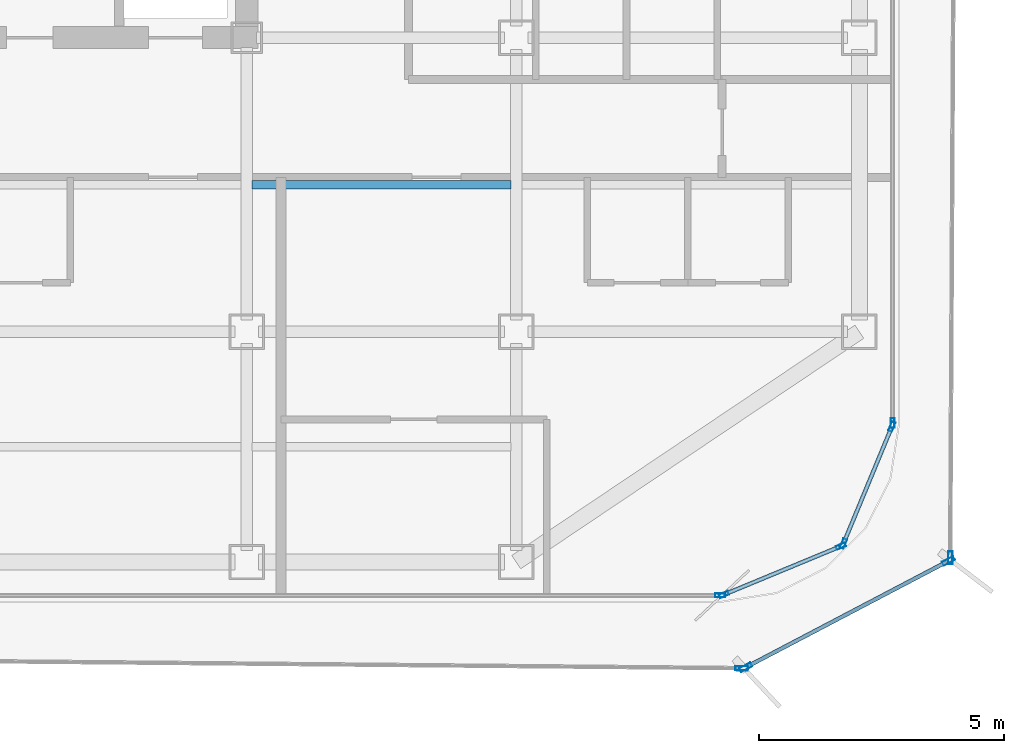
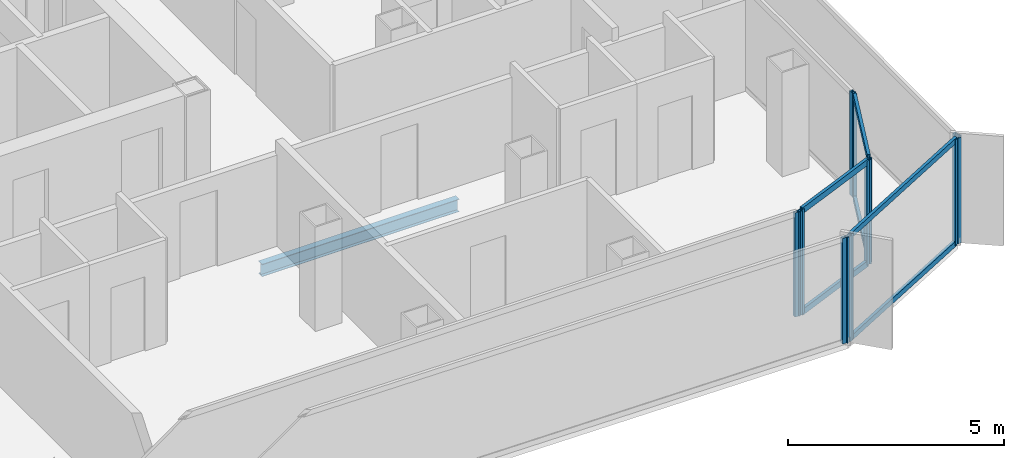
# One storey, part 4 of 16: 16 members, 1 beam, 7 elements without a shape of their own.
"""IFC4 building model written with IfcOpenShell, lengths in metres."""

from ifc_helpers import new_model, si_unit, direction, frame, origin, origin_2d, place, context, subcontext, project, spatial, hollow_rectangle, i_section, extrude, source, transform, mapped, material, layer, layer_set, material_profile, profile_set, type_object, element, aggregate, save


model = new_model("IFC4")

# Units and contexts
model_context = context("Model", 3, precision=1e-05, world=origin(), true_north=direction((0.0, 1.0)))
body_context = subcontext(model_context, "Body", "Model", "MODEL_VIEW")
ifc_project = project(units=[si_unit("LENGTHUNIT", "METRE"), si_unit("AREAUNIT", "SQUARE_METRE"), si_unit("VOLUMEUNIT", "CUBIC_METRE"), si_unit("PLANEANGLEUNIT", "RADIAN"), si_unit("MASSUNIT", "GRAM", prefix="KILO")], contexts=[model_context])

# Site, building, storey
site_placement = place(None, origin())
site = spatial("IfcSite", under=ifc_project, at=site_placement, CompositionType="ELEMENT")
building_placement = place(site_placement, origin())
building = spatial("IfcBuilding", under=site, at=building_placement, Name="Kolveth Station Tower", CompositionType="ELEMENT")
storey_placement = place(building_placement, frame((0.0, 0.0, 162.5)))
storey = spatial("IfcBuildingStorey", under=building, at=storey_placement, Name="L45", CompositionType="ELEMENT", Elevation=162.5)

# Beam
ifc_material_1 = material(Name="Steel S355", Category="steel")
ifc_material_profile_1 = material_profile(ifc_material_1, i_section(OverallWidth=0.1708984375, OverallDepth=0.35205078125, WebThickness=0.0068359375, FlangeThickness=0.009765625, at=origin_2d()), Name="W360x44")
ifc_profile_set_1 = profile_set([ifc_material_profile_1], Name="Steel S355")
beam_type = type_object("IfcBeamType", Name="Beam_J2", PredefinedType="JOIST", material=ifc_profile_set_1)
shared_shape_1 = source(origin(), body_context, "Body", "SweptSolid", [
    extrude(i_section(OverallWidth=0.1708984375, OverallDepth=0.35205078125, WebThickness=0.0068359375, FlangeThickness=0.009765625, at=origin_2d()), origin(), (0.0, 0.0, 1.0), 5.27490234375),
])
beam_placement = place(storey_placement, frame((28.612548828125, 8.5, -0.426025390625), z_axis=(1.0, 0.0, 0.0), x_axis=(0.0, 1.0, 0.0)))
element("IfcBeam", 1, at=beam_placement, inside=storey, type_object=beam_type, Name="L45 Secondary Joist JST-L45-5-2", PredefinedType="JOIST", context=body_context, shape_type="MappedRepresentation", body=[
    mapped(shared_shape_1, transform((0.0, 0.0, 0.0), x_axis=(1.0, 0.0, 0.0), y_axis=(0.0, 1.0, 0.0), z_axis=(0.0, 0.0, 1.0), scale=1.0)),
])

# Curtain wall, members
ifc_material_2 = material(Name="Aluminium 6063-T6 and low-E dark glass", Category="aluminium")
ifc_layer_1 = layer(ifc_material_2, 0.18994140625)
ifc_layer_set_1 = layer_set([ifc_layer_1], Name="Aluminium 6063-T6 and low-E dark glass")
curtain_wall_type_1 = type_object("IfcCurtainWallType", Name="CurtainWall_CW-Z2", PredefinedType="NOTDEFINED", material=ifc_layer_set_1)
curtain_wall_1_placement = place(storey_placement, origin())
curtain_wall_1 = element("IfcCurtainWall", 2, at=curtain_wall_1_placement, inside=storey, type_object=curtain_wall_type_1, Name="L45 Inner Thermal Curtain Wall 1", PredefinedType="NOTDEFINED")
ifc_material_3 = material(Name="Black anodized aluminium 6063-T6", Category="aluminium")
ifc_material_profile_2 = material_profile(ifc_material_3, hollow_rectangle(XDim=0.080078125, YDim=0.199951171875, WallThickness=0.0048828125, at=origin_2d()), Name="ALU-80x200x5")
ifc_profile_set_2 = profile_set([ifc_material_profile_2], Name="Black anodized aluminium 6063-T6")
member_type_1 = type_object("IfcMemberType", Name="Mullion_ML2", PredefinedType="MULLION", material=ifc_profile_set_2)
shared_shape_2 = source(origin(), body_context, "Body", "SweptSolid", [
    extrude(hollow_rectangle(XDim=0.080078125, YDim=0.199951171875, WallThickness=0.0048828125, at=origin_2d()), origin(), (0.0, 0.0, 1.0), 2.949951171875),
])
member_1_placement = place(storey_placement, frame((38.237060546875, 0.13525390625, 0.0), z_axis=(0.0, 0.0, 1.0), x_axis=(-0.382697753087, 0.923873600544, 0.0)))
member_1 = element("IfcMember", 3, at=member_1_placement, type_object=member_type_1, Name="CW-Z2 mullion 1", PredefinedType="MULLION", context=body_context, shape_type="MappedRepresentation", body=[
    mapped(shared_shape_2, transform((0.0, 0.0, 0.0), x_axis=(1.0, 0.0, 0.0), y_axis=(0.0, 1.0, 0.0), z_axis=(0.0, 0.0, 1.0), scale=1.0)),
])
member_2_placement = place(storey_placement, frame((40.623779296875, 1.1240234375, 0.0), z_axis=(0.0, 0.0, 1.0), x_axis=(-0.382697753087, 0.923873600544, 0.0)))
member_2 = element("IfcMember", 4, at=member_2_placement, type_object=member_type_1, Name="CW-Z2 mullion 2", PredefinedType="MULLION", context=body_context, shape_type="MappedRepresentation", body=[
    mapped(shared_shape_2, transform((0.0, 0.0, 0.0), x_axis=(1.0, 0.0, 0.0), y_axis=(0.0, 1.0, 0.0), z_axis=(0.0, 0.0, 1.0), scale=1.0)),
])

curtain_wall_2_placement = place(storey_placement, origin())
curtain_wall_2 = element("IfcCurtainWall", 5, at=curtain_wall_2_placement, inside=storey, type_object=curtain_wall_type_1, Name="L45 Inner Thermal Curtain Wall 2", PredefinedType="NOTDEFINED")
member_3_placement = place(storey_placement, frame((40.676025390625, 1.17626953125, 0.0), z_axis=(0.0, 0.0, 1.0), x_axis=(-0.923873600544, 0.382697753087, 0.0)))
member_3 = element("IfcMember", 6, at=member_3_placement, type_object=member_type_1, Name="CW-Z2 mullion 1", PredefinedType="MULLION", context=body_context, shape_type="MappedRepresentation", body=[
    mapped(shared_shape_2, transform((0.0, 0.0, 0.0), x_axis=(1.0, 0.0, 0.0), y_axis=(0.0, 1.0, 0.0), z_axis=(0.0, 0.0, 1.0), scale=1.0)),
])
member_4_placement = place(storey_placement, frame((41.664794921875, 3.56298828125, 0.0), z_axis=(0.0, 0.0, 1.0), x_axis=(-0.923873600544, 0.382697753087, 0.0)))
member_4 = element("IfcMember", 7, at=member_4_placement, type_object=member_type_1, Name="CW-Z2 mullion 2", PredefinedType="MULLION", context=body_context, shape_type="MappedRepresentation", body=[
    mapped(shared_shape_2, transform((0.0, 0.0, 0.0), x_axis=(1.0, 0.0, 0.0), y_axis=(0.0, 1.0, 0.0), z_axis=(0.0, 0.0, 1.0), scale=1.0)),
])

# Curtain wall, member
curtain_wall_3_placement = place(storey_placement, origin())
curtain_wall_3 = element("IfcCurtainWall", 8, at=curtain_wall_3_placement, inside=storey, type_object=curtain_wall_type_1, Name="L45 Inner Thermal Curtain Wall 3", PredefinedType="NOTDEFINED")
member_5_placement = place(storey_placement, frame((41.679931640625, 3.639892578125, 0.0), z_axis=(0.0, 0.0, 1.0), x_axis=(-1.0, 0.0, 0.0)))
member_5 = element("IfcMember", 9, at=member_5_placement, type_object=member_type_1, Name="CW-Z2 mullion 1", PredefinedType="MULLION", context=body_context, shape_type="MappedRepresentation", body=[
    mapped(shared_shape_2, transform((0.0, 0.0, 0.0), x_axis=(1.0, 0.0, 0.0), y_axis=(0.0, 1.0, 0.0), z_axis=(0.0, 0.0, 1.0), scale=1.0)),
])
aggregate(curtain_wall_3, [member_5])

curtain_wall_4_placement = place(storey_placement, origin())
curtain_wall_4 = element("IfcCurtainWall", 10, at=curtain_wall_4_placement, inside=storey, type_object=curtain_wall_type_1, Name="L45 Inner Thermal Curtain Wall 12", PredefinedType="NOTDEFINED")
member_6_placement = place(storey_placement, frame((38.159912109375, 0.1201171875, 0.0), z_axis=(0.0, 0.0, 1.0), x_axis=(0.0, 1.0, 0.0)))
member_6 = element("IfcMember", 11, at=member_6_placement, type_object=member_type_1, Name="CW-Z2 mullion 2", PredefinedType="MULLION", context=body_context, shape_type="MappedRepresentation", body=[
    mapped(shared_shape_2, transform((0.0, 0.0, 0.0), x_axis=(1.0, 0.0, 0.0), y_axis=(0.0, 1.0, 0.0), z_axis=(0.0, 0.0, 1.0), scale=1.0)),
])
aggregate(curtain_wall_4, [member_6])

# Curtain wall, members
ifc_material_4 = material(Name="Black anodized aluminium 6063-T6 and dark solar glass", Category="aluminium")
ifc_layer_2 = layer(ifc_material_4, 0.159912109375)
ifc_layer_set_2 = layer_set([ifc_layer_2], Name="Black anodized aluminium 6063-T6 and dark solar glass")
curtain_wall_type_2 = type_object("IfcCurtainWallType", Name="OUTER SKIN CW-OS", PredefinedType="NOTDEFINED", material=ifc_layer_set_2)
curtain_wall_5_placement = place(storey_placement, origin())
curtain_wall_5 = element("IfcCurtainWall", 12, at=curtain_wall_5_placement, inside=storey, type_object=curtain_wall_type_2, Name="L45 Outer Ventilated Skin Curtain Wall 1", PredefinedType="NOTDEFINED")
ifc_material_profile_3 = material_profile(ifc_material_3, hollow_rectangle(XDim=0.090087890625, YDim=0.260009765625, WallThickness=0.0048828125, at=origin_2d()), Name="ALU-90x260x5")
ifc_profile_set_3 = profile_set([ifc_material_profile_3], Name="Black anodized aluminium 6063-T6")
member_type_2 = type_object("IfcMemberType", Name="FIN MULLION ML-OS", PredefinedType="MULLION", material=ifc_profile_set_3)
shared_shape_3 = source(origin(), body_context, "Body", "SweptSolid", [
    extrude(hollow_rectangle(XDim=0.090087890625, YDim=0.260009765625, WallThickness=0.0048828125, at=origin_2d()), origin(), (0.0, 0.0, 1.0), 2.989990234375),
])
member_7_placement = place(storey_placement, frame((38.683837890625, -1.347900390625, 0.0), z_axis=(0.0, 0.0, 1.0), x_axis=(-0.464724371526, 0.885455396115, 0.0)))
member_7 = element("IfcMember", 13, at=member_7_placement, type_object=member_type_2, Name="CW-OS mullion 1", PredefinedType="MULLION", context=body_context, shape_type="MappedRepresentation", body=[
    mapped(shared_shape_3, transform((0.0, 0.0, 0.0), x_axis=(1.0, 0.0, 0.0), y_axis=(0.0, 1.0, 0.0), z_axis=(0.0, 0.0, 1.0), scale=1.0)),
])
member_8_placement = place(storey_placement, frame((42.818603515625, 0.822265625, 0.0), z_axis=(0.0, 0.0, 1.0), x_axis=(-0.464724371526, 0.885455396115, 0.0)))
member_8 = element("IfcMember", 14, at=member_8_placement, type_object=member_type_2, Name="CW-OS mullion 2", PredefinedType="MULLION", context=body_context, shape_type="MappedRepresentation", body=[
    mapped(shared_shape_3, transform((0.0, 0.0, 0.0), x_axis=(1.0, 0.0, 0.0), y_axis=(0.0, 1.0, 0.0), z_axis=(0.0, 0.0, 1.0), scale=1.0)),
])

# Curtain wall, member
curtain_wall_6_placement = place(storey_placement, origin())
curtain_wall_6 = element("IfcCurtainWall", 15, at=curtain_wall_6_placement, inside=storey, type_object=curtain_wall_type_2, Name="L45 Outer Ventilated Skin Curtain Wall 2", PredefinedType="NOTDEFINED")
member_9_placement = place(storey_placement, frame((42.858642578125, 0.88818359375, 0.0), z_axis=(0.0, 0.0, 1.0), x_axis=(-0.999985481956, 0.005388494921, 0.0)))
member_9 = element("IfcMember", 16, at=member_9_placement, type_object=member_type_2, Name="CW-OS mullion 1", PredefinedType="MULLION", context=body_context, shape_type="MappedRepresentation", body=[
    mapped(shared_shape_3, transform((0.0, 0.0, 0.0), x_axis=(1.0, 0.0, 0.0), y_axis=(0.0, 1.0, 0.0), z_axis=(0.0, 0.0, 1.0), scale=1.0)),
])
aggregate(curtain_wall_6, [member_9])

curtain_wall_7_placement = place(storey_placement, origin())
curtain_wall_7 = element("IfcCurtainWall", 17, at=curtain_wall_7_placement, inside=storey, type_object=curtain_wall_type_2, Name="L45 Outer Ventilated Skin Curtain Wall 8", PredefinedType="NOTDEFINED")
member_10_placement = place(storey_placement, frame((38.598876953125, -1.368408203125, 0.0), z_axis=(0.0, 0.0, 1.0), x_axis=(0.009153019255, 0.999958110242, 0.0)))
member_10 = element("IfcMember", 18, at=member_10_placement, type_object=member_type_2, Name="CW-OS mullion 2", PredefinedType="MULLION", context=body_context, shape_type="MappedRepresentation", body=[
    mapped(shared_shape_3, transform((0.0, 0.0, 0.0), x_axis=(1.0, 0.0, 0.0), y_axis=(0.0, 1.0, 0.0), z_axis=(0.0, 0.0, 1.0), scale=1.0)),
])
aggregate(curtain_wall_7, [member_10])

# Member
ifc_material_profile_4 = material_profile(ifc_material_3, hollow_rectangle(XDim=0.080078125, YDim=0.169921875, WallThickness=0.0048828125, at=origin_2d()), Name="ALU-80x170x5")
ifc_profile_set_4 = profile_set([ifc_material_profile_4], Name="Black anodized aluminium 6063-T6")
member_type_3 = type_object("IfcMemberType", Name="Transom_TR2", PredefinedType="USERDEFINED", material=ifc_profile_set_4)
shared_shape_4 = source(origin(), body_context, "Body", "SweptSolid", [
    extrude(hollow_rectangle(XDim=0.080078125, YDim=0.169921875, WallThickness=0.0048828125, at=origin_2d()), origin(), (0.0, 0.0, 1.0), 2.50341796875),
])
member_11_placement = place(storey_placement, frame((38.27392578125, 0.150634765625, 0.0400390625), z_axis=(0.923874190494, 0.382696328882, 0.0), x_axis=(-0.382696328882, 0.923874190494, 0.0)))
member_11 = element("IfcMember", 19, at=member_11_placement, type_object=member_type_3, Name="CW-Z2 transom 1.1", ObjectType="TRANSOM", PredefinedType="USERDEFINED", context=body_context, shape_type="MappedRepresentation", body=[
    mapped(shared_shape_4, transform((0.0, 0.0, 0.0), x_axis=(1.0, 0.0, 0.0), y_axis=(0.0, 1.0, 0.0), z_axis=(0.0, 0.0, 1.0), scale=1.0)),
])

member_12_placement = place(storey_placement, frame((38.27392578125, 0.150634765625, 2.909912109375), z_axis=(0.923874190494, 0.382696328882, 0.0), x_axis=(-0.382696328882, 0.923874190494, 0.0)))
member_12 = element("IfcMember", 20, at=member_12_placement, type_object=member_type_3, Name="CW-Z2 transom 1.2", ObjectType="TRANSOM", PredefinedType="USERDEFINED", context=body_context, shape_type="MappedRepresentation", body=[
    mapped(shared_shape_4, transform((0.0, 0.0, 0.0), x_axis=(1.0, 0.0, 0.0), y_axis=(0.0, 1.0, 0.0), z_axis=(0.0, 0.0, 1.0), scale=1.0)),
])

aggregate(curtain_wall_1, [member_1, member_2, member_11, member_12])

member_13_placement = place(storey_placement, frame((40.69140625, 1.213134765625, 0.0400390625), z_axis=(0.382661849723, 0.923888472039, 0.0), x_axis=(-0.923888472039, 0.382661849723, 0.0)))
member_13 = element("IfcMember", 21, at=member_13_placement, type_object=member_type_3, Name="CW-Z2 transom 1.1", ObjectType="TRANSOM", PredefinedType="USERDEFINED", context=body_context, shape_type="MappedRepresentation", body=[
    mapped(shared_shape_4, transform((0.0, 0.0, 0.0), x_axis=(1.0, 0.0, 0.0), y_axis=(0.0, 1.0, 0.0), z_axis=(0.0, 0.0, 1.0), scale=1.0)),
])

member_14_placement = place(storey_placement, frame((40.69140625, 1.213134765625, 2.909912109375), z_axis=(0.382661849723, 0.923888472039, 0.0), x_axis=(-0.923888472039, 0.382661849723, 0.0)))
member_14 = element("IfcMember", 22, at=member_14_placement, type_object=member_type_3, Name="CW-Z2 transom 1.2", ObjectType="TRANSOM", PredefinedType="USERDEFINED", context=body_context, shape_type="MappedRepresentation", body=[
    mapped(shared_shape_4, transform((0.0, 0.0, 0.0), x_axis=(1.0, 0.0, 0.0), y_axis=(0.0, 1.0, 0.0), z_axis=(0.0, 0.0, 1.0), scale=1.0)),
])

aggregate(curtain_wall_2, [member_3, member_4, member_13, member_14])

ifc_material_profile_5 = material_profile(ifc_material_3, hollow_rectangle(XDim=0.080078125, YDim=0.14990234375, WallThickness=0.0048828125, at=origin_2d()), Name="ALU-80x150x5")
ifc_profile_set_5 = profile_set([ifc_material_profile_5], Name="Black anodized aluminium 6063-T6")
member_type_4 = type_object("IfcMemberType", Name="Transom_TR-OS", PredefinedType="USERDEFINED", material=ifc_profile_set_5)
shared_shape_5 = source(origin(), body_context, "Body", "SweptSolid", [
    extrude(hollow_rectangle(XDim=0.080078125, YDim=0.14990234375, WallThickness=0.0048828125, at=origin_2d()), origin(), (0.0, 0.0, 1.0), 4.57958984375),
])
member_15_placement = place(storey_placement, frame((38.7236328125, -1.326904296875, 0.0400390625), z_axis=(0.885469197993, 0.464698073384, 0.0), x_axis=(-0.464698073384, 0.885469197993, 0.0)))
member_15 = element("IfcMember", 23, at=member_15_placement, type_object=member_type_4, Name="CW-OS transom 1.1", ObjectType="TRANSOM", PredefinedType="USERDEFINED", context=body_context, shape_type="MappedRepresentation", body=[
    mapped(shared_shape_5, transform((0.0, 0.0, 0.0), x_axis=(1.0, 0.0, 0.0), y_axis=(0.0, 1.0, 0.0), z_axis=(0.0, 0.0, 1.0), scale=1.0)),
])

member_16_placement = place(storey_placement, frame((38.7236328125, -1.326904296875, 2.949951171875), z_axis=(0.885469197993, 0.464698073384, 0.0), x_axis=(-0.464698073384, 0.885469197993, 0.0)))
member_16 = element("IfcMember", 24, at=member_16_placement, type_object=member_type_4, Name="CW-OS transom 1.2", ObjectType="TRANSOM", PredefinedType="USERDEFINED", context=body_context, shape_type="MappedRepresentation", body=[
    mapped(shared_shape_5, transform((0.0, 0.0, 0.0), x_axis=(1.0, 0.0, 0.0), y_axis=(0.0, 1.0, 0.0), z_axis=(0.0, 0.0, 1.0), scale=1.0)),
])

aggregate(curtain_wall_5, [member_7, member_8, member_15, member_16])

save(model, "model.ifc")
